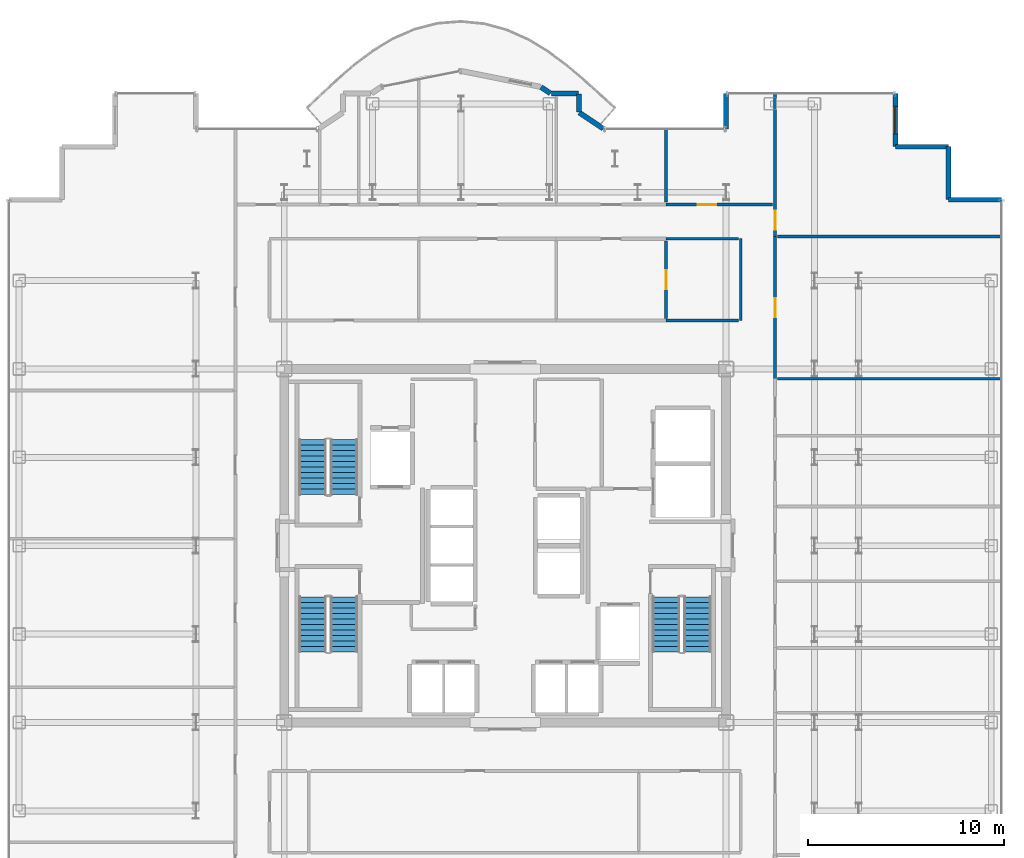
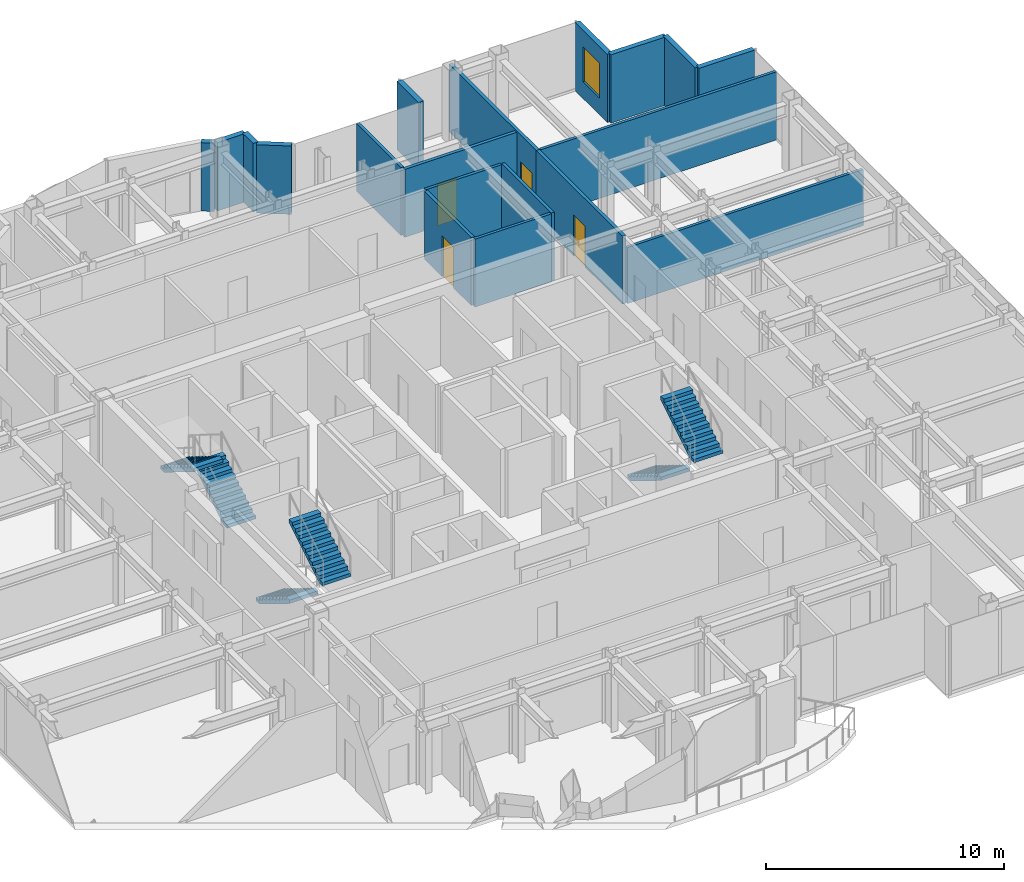
# One storey, part 19 of 21: 19 walls, 6 stair flights, 4 doors, 1 window, 5 openings, 3 elements without a shape of their own.
"""IFC4 building model written with IfcOpenShell, lengths in metres."""

from ifc_helpers import new_model, si_unit, direction, frame, frame_2d, origin, place, context, subcontext, project, spatial, polyline, rectangle, outline, extrude, source, transform, mapped, material, layer, layer_set, type_object, element, fill, aggregate, save


model = new_model("IFC4")

# Units and contexts
model_context = context("Model", 3, precision=1e-05, world=origin(), true_north=direction((0.0, 1.0)))
body_context = subcontext(model_context, "Body", "Model", "MODEL_VIEW")
ifc_project = project(units=[si_unit("LENGTHUNIT", "METRE"), si_unit("AREAUNIT", "SQUARE_METRE"), si_unit("VOLUMEUNIT", "CUBIC_METRE"), si_unit("PLANEANGLEUNIT", "RADIAN"), si_unit("MASSUNIT", "GRAM", prefix="KILO")], contexts=[model_context])

# Site, building, storey
site_placement = place(None, origin())
site = spatial("IfcSite", under=ifc_project, at=site_placement, CompositionType="ELEMENT")
building_placement = place(site_placement, origin())
building = spatial("IfcBuilding", under=site, at=building_placement, Name="Nefas-Gora Pilgrimage Tower", CompositionType="ELEMENT")
storey_placement = place(building_placement, frame((0.0, 0.0, 256.0)))
storey = spatial("IfcBuildingStorey", under=building, at=storey_placement, Name="L64", CompositionType="ELEMENT", Elevation=256.0)

# Walls
ifc_material_1 = material(Name="Precast concrete C40/50", Category="concrete")
ifc_layer_1 = layer(ifc_material_1, 0.260009765625)
ifc_layer_set_1 = layer_set([ifc_layer_1], Name="Precast concrete C40/50")
wall_type_1 = type_object("IfcWallType", Name="EW-PORTAL-260", PredefinedType="SOLIDWALL", material=ifc_layer_set_1)
shared_shape_1 = source(origin(), body_context, "Body", "SweptSolid", [
    extrude(rectangle(XDim=1.800048828125, YDim=0.260009765625, at=frame_2d((0.89990234375, 0.0))), origin(), (0.0, 0.0, 1.0), 3.5),
])
wall_1_placement = place(storey_placement, frame((11.25, 23.02001953125, 0.0), z_axis=(0.0, 0.0, 1.0), x_axis=(0.0, -1.0, 0.0)))
element("IfcWall", 1, at=wall_1_placement, inside=storey, type_object=wall_type_1, Name="L64 Lobe Shoulder Precast Spandrel Pier 10", PredefinedType="SOLIDWALL", context=body_context, shape_type="MappedRepresentation", body=[
    mapped(shared_shape_1, transform((0.0, 0.0, 0.0), x_axis=(1.0, 0.0, 0.0), y_axis=(0.0, 1.0, 0.0), z_axis=(0.0, 0.0, 1.0), scale=1.0)),
])
ifc_material_2 = material(Name="Precast concrete C45/55", Category="concrete")
ifc_layer_2 = layer(ifc_material_2, 0.239990234375)
ifc_layer_set_2 = layer_set([ifc_layer_2], Name="Precast concrete C45/55")
wall_type_2 = type_object("IfcWallType", Name="EW-SERR-240", PredefinedType="SHEAR", material=ifc_layer_set_2)
shared_shape_2 = source(origin(), body_context, "Body", "SweptSolid", [
    extrude(rectangle(XDim=2.699951171875, YDim=0.239990234375, at=frame_2d((1.35009765625, 0.0))), origin(), (0.0, 0.0, 1.0), 3.5),
])
for number, where, z_axis, x_axis, name in (
    (2, (25.27001953125, 17.6201171875, 0.0), (0.0, 0.0, 1.0), (-1.0, 0.0, 0.0), "L64 Serrated Corner Shear Pier Wall 6"),
    (3, (22.570068359375, 17.6201171875, 0.0), (0.0, 0.0, 1.0), (0.0, 1.0, 0.0), "L64 Serrated Corner Shear Pier Wall 7"),
    (4, (22.570068359375, 20.320068359375, 0.0), (0.0, 0.0, 1.0), (-1.0, 0.0, 0.0), "L64 Serrated Corner Shear Pier Wall 8"),
):
    element("IfcWall", number, at=place(storey_placement, frame(where, z_axis=z_axis, x_axis=x_axis)), inside=storey, type_object=wall_type_2, Name=name, PredefinedType="SHEAR", context=body_context, shape_type="MappedRepresentation", body=[
        mapped(shared_shape_2, transform((0.0, 0.0, 0.0), x_axis=(1.0, 0.0, 0.0), y_axis=(0.0, 1.0, 0.0), z_axis=(0.0, 0.0, 1.0), scale=1.0)),
    ])

# Wall, opening, window
wall_2_placement = place(storey_placement, frame((19.8701171875, 20.320068359375, 0.0), z_axis=(0.0, 0.0, 1.0), x_axis=(0.0, 1.0, 0.0)))
wall_2 = element("IfcWall", 5, at=wall_2_placement, inside=storey, type_object=wall_type_2, Name="L64 Serrated Corner Shear Pier Wall 9", PredefinedType="SHEAR", context=body_context, shape_type="MappedRepresentation", body=[
    mapped(shared_shape_2, transform((0.0, 0.0, 0.0), x_axis=(1.0, 0.0, 0.0), y_axis=(0.0, 1.0, 0.0), z_axis=(0.0, 0.0, 1.0), scale=1.0)),
])
opening_1_placement = place(wall_2_placement, frame((0.64990234375, 0.0, 0.85009765625)))
opening_1 = element("IfcOpeningElement", 6, at=opening_1_placement, cuts=wall_2, Name="Opening W-V2", PredefinedType="OPENING", context=body_context, shape_type="SweptSolid", body=[
    extrude(rectangle(XDim=1.39990234375, YDim=1.800048828125, at=frame_2d((0.699951171875, 0.89990234375))), frame((0.0, 0.1298828125, 0.0), z_axis=(0.0, -1.0, 0.0), x_axis=(1.0, 0.0, 0.0)), (0.0, 0.0, 1.0), 0.260009765625),
])
ifc_material_3 = material(Name="Dark ceramic-fritted operable aluminium-glass window", Category="aluminium")
window_type = type_object("IfcWindowType", Name="WIN-VENT-1400x1800", PartitioningType="SINGLE_PANEL", PredefinedType="WINDOW", material=ifc_material_3)
shared_shape_3 = source(origin(), body_context, "Body", "SweptSolid", [
    extrude(rectangle(XDim=1.39990234375, YDim=1.800048828125, at=frame_2d((0.699951171875, 0.89990234375))), frame((0.0, 0.030029296875, 0.0), z_axis=(0.0, -1.0, 0.0), x_axis=(1.0, 0.0, 0.0)), (0.0, 0.0, 1.0), 0.06005859375),
])
window_placement = place(opening_1_placement, origin())
window = element("IfcWindow", 7, at=window_placement, inside=storey, type_object=window_type, Name="L64 Operable Parallel-Outswing Window 9", OverallHeight=1.800048828125, OverallWidth=1.39990234375, PartitioningType="SINGLE_PANEL", PredefinedType="WINDOW", context=body_context, shape_type="MappedRepresentation", body=[
    mapped(shared_shape_3, transform((0.0, 0.0, 0.0), x_axis=(1.0, 0.0, 0.0), y_axis=(0.0, 1.0, 0.0), z_axis=(0.0, 0.0, 1.0), scale=1.0)),
])
fill(opening_1, window)

# Walls
shared_shape_4 = source(origin(), body_context, "Body", "SweptSolid", [
    extrude(rectangle(XDim=1.468994140625, YDim=0.260009765625, at=frame_2d((0.734375, 0.0))), origin(), (0.0, 0.0, 1.0), 3.5),
])
wall_3_placement = place(storey_placement, frame((4.99462890625, 21.235595703125, 0.0), z_axis=(0.0, 0.0, 1.0), x_axis=(-0.831461760506, 0.555581983884, 0.0)))
element("IfcWall", 8, at=wall_3_placement, inside=storey, type_object=wall_type_1, Name="L64 Lobe Shoulder Precast Spandrel Pier 11", PredefinedType="SOLIDWALL", context=body_context, shape_type="MappedRepresentation", body=[
    mapped(shared_shape_4, transform((0.0, 0.0, 0.0), x_axis=(1.0, 0.0, 0.0), y_axis=(0.0, 1.0, 0.0), z_axis=(0.0, 0.0, 1.0), scale=1.0)),
])
shared_shape_5 = source(origin(), body_context, "Body", "SweptSolid", [
    extrude(rectangle(XDim=0.896728515625, YDim=0.260009765625, at=frame_2d((0.4482421875, 0.0))), origin(), (0.0, 0.0, 1.0), 3.5),
])
wall_4_placement = place(storey_placement, frame((3.75, 22.09521484375, 0.0), z_axis=(0.0, 0.0, 1.0), x_axis=(0.0, 1.0, 0.0)))
element("IfcWall", 9, at=wall_4_placement, inside=storey, type_object=wall_type_1, Name="L64 Lobe Shoulder Precast Spandrel Pier 12", PredefinedType="SOLIDWALL", context=body_context, shape_type="MappedRepresentation", body=[
    mapped(shared_shape_5, transform((0.0, 0.0, 0.0), x_axis=(1.0, 0.0, 0.0), y_axis=(0.0, 1.0, 0.0), z_axis=(0.0, 0.0, 1.0), scale=1.0)),
])
shared_shape_6 = source(origin(), body_context, "Body", "SweptSolid", [
    extrude(rectangle(XDim=1.369873046875, YDim=0.260009765625, at=frame_2d((0.68505859375, 0.0))), origin(), (0.0, 0.0, 1.0), 3.5),
])
wall_5_placement = place(storey_placement, frame((3.721923828125, 23.02001953125, 0.0), z_axis=(0.0, 0.0, 1.0), x_axis=(-1.0, 0.0, 0.0)))
element("IfcWall", 10, at=wall_5_placement, inside=storey, type_object=wall_type_1, Name="L64 Lobe Shoulder Precast Spandrel Pier 13", PredefinedType="SOLIDWALL", context=body_context, shape_type="MappedRepresentation", body=[
    mapped(shared_shape_6, transform((0.0, 0.0, 0.0), x_axis=(1.0, 0.0, 0.0), y_axis=(0.0, 1.0, 0.0), z_axis=(0.0, 0.0, 1.0), scale=1.0)),
])
shared_shape_7 = source(origin(), body_context, "Body", "SweptSolid", [
    extrude(rectangle(XDim=0.5654296875, YDim=0.260009765625, at=frame_2d((0.28271484375, 0.0))), origin(), (0.0, 0.0, 1.0), 3.5),
])
wall_6_placement = place(storey_placement, frame((2.30078125, 23.03564453125, 0.0), z_axis=(0.0, 0.0, 1.0), x_axis=(-0.831651492666, 0.555297933317, 0.0)))
element("IfcWall", 11, at=wall_6_placement, inside=storey, type_object=wall_type_1, Name="L64 Lobe Shoulder Precast Spandrel Pier 14", PredefinedType="SOLIDWALL", context=body_context, shape_type="MappedRepresentation", body=[
    mapped(shared_shape_7, transform((0.0, 0.0, 0.0), x_axis=(1.0, 0.0, 0.0), y_axis=(0.0, 1.0, 0.0), z_axis=(0.0, 0.0, 1.0), scale=1.0)),
])

# Wall, opening, door
ifc_material_4 = material(Name="Gypsum acoustic stud partition")
ifc_layer_3 = layer(ifc_material_4, 0.159912109375)
ifc_layer_set_3 = layer_set([ifc_layer_3], Name="Gypsum acoustic stud partition")
wall_type_3 = type_object("IfcWallType", Name="IW-CORR-160", PredefinedType="PARTITIONING", material=ifc_layer_set_3)
shared_shape_8 = source(origin(), body_context, "Body", "SweptSolid", [
    extrude(rectangle(XDim=5.425048828125, YDim=0.159912109375, at=frame_2d((2.71240234375, 0.0))), origin(), (0.0, 0.0, 1.0), 3.485107421875),
])
wall_7_placement = place(storey_placement, frame((8.195068359375, 17.3701171875, 0.0), z_axis=(0.0, 0.0, 1.0), x_axis=(1.0, 0.0, 0.0)))
wall_7 = element("IfcWall", 12, at=wall_7_placement, inside=storey, type_object=wall_type_3, Name="L64 Pilgrim Contemplative Lounge Partition Wall 71", PredefinedType="PARTITIONING", context=body_context, shape_type="MappedRepresentation", body=[
    mapped(shared_shape_8, transform((0.0, 0.0, 0.0), x_axis=(1.0, 0.0, 0.0), y_axis=(0.0, 1.0, 0.0), z_axis=(0.0, 0.0, 1.0), scale=1.0)),
])
opening_2_placement = place(wall_7_placement, frame((1.611083984375, 0.0, 0.0)))
opening_2 = element("IfcOpeningElement", 13, at=opening_2_placement, cuts=wall_7, Name="Opening ID-GR1", PredefinedType="OPENING", context=body_context, shape_type="SweptSolid", body=[
    extrude(rectangle(XDim=0.949951171875, YDim=2.10009765625, at=frame_2d((0.47509765625, 1.050048828125))), frame((0.0, 0.08984375, 0.0), z_axis=(0.0, -1.0, 0.0), x_axis=(1.0, 0.0, 0.0)), (0.0, 0.0, 1.0), 0.179931640625),
])
ifc_material_5 = material(Name="Solid core oak fire-rated guest entrance door")
door_type = type_object("IfcDoorType", Name="DR-INT-GUEST-950", OperationType="NOTDEFINED", PredefinedType="DOOR", material=ifc_material_5)
shared_shape_9 = source(origin(), body_context, "Body", "SweptSolid", [
    extrude(rectangle(XDim=0.949951171875, YDim=2.10009765625, at=frame_2d((0.47509765625, 1.050048828125))), frame((0.0, 0.02490234375, 0.0), z_axis=(0.0, -1.0, 0.0), x_axis=(1.0, 0.0, 0.0)), (0.0, 0.0, 1.0), 0.050048828125),
])
door_1_placement = place(opening_2_placement, origin())
door_1 = element("IfcDoor", 14, at=door_1_placement, inside=storey, type_object=door_type, Name="L64 Pilgrim Contemplative Lounge Door 33", OperationType="SINGLE_SWING_LEFT", OverallHeight=2.10009765625, OverallWidth=0.949951171875, PredefinedType="DOOR", context=body_context, shape_type="MappedRepresentation", body=[
    mapped(shared_shape_9, transform((0.0, 0.0, 0.0), x_axis=(1.0, 0.0, 0.0), y_axis=(0.0, 1.0, 0.0), z_axis=(0.0, 0.0, 1.0), scale=1.0)),
])
fill(opening_2, door_1)

# Walls
ifc_material_6 = material(Name="Gypsum twin-stud partition")
ifc_layer_4 = layer(ifc_material_6, 0.139892578125)
ifc_layer_set_4 = layer_set([ifc_layer_4], Name="Gypsum twin-stud partition")
wall_type_4 = type_object("IfcWallType", Name="IW-UNIT-140", PredefinedType="PARTITIONING", material=ifc_layer_set_4)
shared_shape_10 = source(origin(), body_context, "Body", "SweptSolid", [
    extrude(rectangle(XDim=11.429931640625, YDim=0.139892578125, at=frame_2d((5.71484375, 0.0))), origin(), (0.0, 0.0, 1.0), 2.875),
])
wall_8_placement = place(storey_placement, frame((13.860107421875, 8.4951171875, 0.0), z_axis=(0.0, 0.0, 1.0), x_axis=(1.0, 0.0, 0.0)))
element("IfcWall", 15, at=wall_8_placement, inside=storey, type_object=wall_type_4, Name="L64 Scripture Reading Study Partition Wall 50", PredefinedType="PARTITIONING", context=body_context, shape_type="MappedRepresentation", body=[
    mapped(shared_shape_10, transform((0.0, 0.0, 0.0), x_axis=(1.0, 0.0, 0.0), y_axis=(0.0, 1.0, 0.0), z_axis=(0.0, 0.0, 1.0), scale=1.0)),
])
shared_shape_11 = source(origin(), body_context, "Body", "SweptSolid", [
    extrude(rectangle(XDim=11.429931640625, YDim=0.139892578125, at=frame_2d((5.71484375, 0.0))), origin(), (0.0, 0.0, 1.0), 3.485107421875),
])
wall_9_placement = place(storey_placement, frame((13.860107421875, 15.74755859375, 0.0), z_axis=(0.0, 0.0, 1.0), x_axis=(1.0, 0.0, 0.0)))
element("IfcWall", 16, at=wall_9_placement, inside=storey, type_object=wall_type_4, Name="L64 Pilgrim Contemplative Lounge Partition Wall 52", PredefinedType="PARTITIONING", context=body_context, shape_type="MappedRepresentation", body=[
    mapped(shared_shape_11, transform((0.0, 0.0, 0.0), x_axis=(1.0, 0.0, 0.0), y_axis=(0.0, 1.0, 0.0), z_axis=(0.0, 0.0, 1.0), scale=1.0)),
])
shared_shape_12 = source(origin(), body_context, "Body", "SweptSolid", [
    extrude(rectangle(XDim=3.75, YDim=0.139892578125, at=frame_2d((1.875, 0.0))), origin(), (0.0, 0.0, 1.0), 3.485107421875),
])
wall_10_placement = place(storey_placement, frame((8.195068359375, 17.489990234375, 0.0), z_axis=(0.0, 0.0, 1.0), x_axis=(0.0, 1.0, 0.0)))
element("IfcWall", 17, at=wall_10_placement, inside=storey, type_object=wall_type_4, Name="L64 Pilgrim Contemplative Lounge Partition Wall 67", PredefinedType="PARTITIONING", context=body_context, shape_type="MappedRepresentation", body=[
    mapped(shared_shape_12, transform((0.0, 0.0, 0.0), x_axis=(1.0, 0.0, 0.0), y_axis=(0.0, 1.0, 0.0), z_axis=(0.0, 0.0, 1.0), scale=1.0)),
])
shared_shape_13 = source(origin(), body_context, "Body", "SweptSolid", [
    extrude(rectangle(XDim=4.179931640625, YDim=0.139892578125, at=frame_2d((2.08984375, 0.0))), origin(), (0.0, 0.0, 1.0), 3.485107421875),
])
wall_11_placement = place(storey_placement, frame((12.0, 11.4599609375, 0.0), z_axis=(0.0, 0.0, 1.0), x_axis=(0.0, 1.0, 0.0)))
element("IfcWall", 18, at=wall_11_placement, inside=storey, type_object=wall_type_4, Name="L64 Pilgrim Contemplative Lounge Partition Wall 72", PredefinedType="PARTITIONING", context=body_context, shape_type="MappedRepresentation", body=[
    mapped(shared_shape_13, transform((0.0, 0.0, 0.0), x_axis=(1.0, 0.0, 0.0), y_axis=(0.0, 1.0, 0.0), z_axis=(0.0, 0.0, 1.0), scale=1.0)),
])

# Wall, opening, door
shared_shape_14 = source(origin(), body_context, "Body", "SweptSolid", [
    extrude(rectangle(XDim=7.302490234375, YDim=0.159912109375, at=frame_2d((3.6513671875, 0.0))), origin(), (0.0, 0.0, 1.0), 3.485107421875),
])
wall_12_placement = place(storey_placement, frame((13.739990234375, 15.737548828125, 0.0), z_axis=(0.0, 0.0, 1.0), x_axis=(0.0, 1.0, 0.0)))
wall_12 = element("IfcWall", 19, at=wall_12_placement, inside=storey, type_object=wall_type_3, Name="L64 Pilgrim Contemplative Lounge Partition Wall 51", PredefinedType="PARTITIONING", context=body_context, shape_type="MappedRepresentation", body=[
    mapped(shared_shape_14, transform((0.0, 0.0, 0.0), x_axis=(1.0, 0.0, 0.0), y_axis=(0.0, 1.0, 0.0), z_axis=(0.0, 0.0, 1.0), scale=1.0)),
])
opening_3_placement = place(wall_12_placement, frame((0.361328125, 0.0, 0.0)))
opening_3 = element("IfcOpeningElement", 20, at=opening_3_placement, cuts=wall_12, Name="Opening ID-GR1", PredefinedType="OPENING", context=body_context, shape_type="SweptSolid", body=[
    extrude(rectangle(XDim=0.949951171875, YDim=2.10009765625, at=frame_2d((0.47509765625, 1.050048828125))), frame((0.0, 0.08984375, 0.0), z_axis=(0.0, -1.0, 0.0), x_axis=(1.0, 0.0, 0.0)), (0.0, 0.0, 1.0), 0.179931640625),
])
door_2_placement = place(opening_3_placement, origin())
door_2 = element("IfcDoor", 21, at=door_2_placement, inside=storey, type_object=door_type, Name="L64 Pilgrim Contemplative Lounge Door 23", OperationType="SINGLE_SWING_LEFT", OverallHeight=2.10009765625, OverallWidth=0.949951171875, PredefinedType="DOOR", context=body_context, shape_type="MappedRepresentation", body=[
    mapped(shared_shape_9, transform((0.0, 0.0, 0.0), x_axis=(1.0, 0.0, 0.0), y_axis=(0.0, 1.0, 0.0), z_axis=(0.0, 0.0, 1.0), scale=1.0)),
])
fill(opening_3, door_2)

shared_shape_15 = source(origin(), body_context, "Body", "SweptSolid", [
    extrude(rectangle(XDim=7.242431640625, YDim=0.159912109375, at=frame_2d((3.62109375, 0.0))), origin(), (0.0, 0.0, 1.0), 3.485107421875),
])
wall_13_placement = place(storey_placement, frame((13.739990234375, 8.4951171875, 0.0), z_axis=(0.0, 0.0, 1.0), x_axis=(0.0, 1.0, 0.0)))
wall_13 = element("IfcWall", 22, at=wall_13_placement, inside=storey, type_object=wall_type_3, Name="L64 Pilgrim Contemplative Lounge Partition Wall 53", PredefinedType="PARTITIONING", context=body_context, shape_type="MappedRepresentation", body=[
    mapped(shared_shape_15, transform((0.0, 0.0, 0.0), x_axis=(1.0, 0.0, 0.0), y_axis=(0.0, 1.0, 0.0), z_axis=(0.0, 0.0, 1.0), scale=1.0)),
])
opening_4_placement = place(wall_13_placement, frame((3.146240234375, 0.0, 0.0)))
opening_4 = element("IfcOpeningElement", 23, at=opening_4_placement, cuts=wall_13, Name="Opening ID-GR1", PredefinedType="OPENING", context=body_context, shape_type="SweptSolid", body=[
    extrude(rectangle(XDim=0.949951171875, YDim=2.10009765625, at=frame_2d((0.47509765625, 1.050048828125))), frame((0.0, 0.08984375, 0.0), z_axis=(0.0, -1.0, 0.0), x_axis=(1.0, 0.0, 0.0)), (0.0, 0.0, 1.0), 0.179931640625),
])
door_3_placement = place(opening_4_placement, origin())
door_3 = element("IfcDoor", 24, at=door_3_placement, inside=storey, type_object=door_type, Name="L64 Pilgrim Contemplative Lounge Door 24", OperationType="SINGLE_SWING_RIGHT", OverallHeight=2.10009765625, OverallWidth=0.949951171875, PredefinedType="DOOR", context=body_context, shape_type="MappedRepresentation", body=[
    mapped(shared_shape_9, transform((0.0, 0.0, 0.0), x_axis=(1.0, 0.0, 0.0), y_axis=(0.0, 1.0, 0.0), z_axis=(0.0, 0.0, 1.0), scale=1.0)),
])
fill(opening_4, door_3)

shared_shape_16 = source(origin(), body_context, "Body", "SweptSolid", [
    extrude(rectangle(XDim=3.929931640625, YDim=0.159912109375, at=frame_2d((1.96484375, 0.0))), origin(), (0.0, 0.0, 1.0), 3.485107421875),
])
wall_14_placement = place(storey_placement, frame((8.195068359375, 11.580078125, 0.0), z_axis=(0.0, 0.0, 1.0), x_axis=(0.0, 1.0, 0.0)))
wall_14 = element("IfcWall", 25, at=wall_14_placement, inside=storey, type_object=wall_type_3, Name="L64 Pilgrim Contemplative Lounge Partition Wall 70", PredefinedType="PARTITIONING", context=body_context, shape_type="MappedRepresentation", body=[
    mapped(shared_shape_16, transform((0.0, 0.0, 0.0), x_axis=(1.0, 0.0, 0.0), y_axis=(0.0, 1.0, 0.0), z_axis=(0.0, 0.0, 1.0), scale=1.0)),
])
opening_5_placement = place(wall_14_placement, frame((1.489990234375, 0.0, 0.0)))
opening_5 = element("IfcOpeningElement", 26, at=opening_5_placement, cuts=wall_14, Name="Opening ID-GR1", PredefinedType="OPENING", context=body_context, shape_type="SweptSolid", body=[
    extrude(rectangle(XDim=0.949951171875, YDim=2.10009765625, at=frame_2d((0.47509765625, 1.050048828125))), frame((0.0, 0.08984375, 0.0), z_axis=(0.0, -1.0, 0.0), x_axis=(1.0, 0.0, 0.0)), (0.0, 0.0, 1.0), 0.179931640625),
])
door_4_placement = place(opening_5_placement, origin())
door_4 = element("IfcDoor", 27, at=door_4_placement, inside=storey, type_object=door_type, Name="L64 Pilgrim Contemplative Lounge Door 32", OperationType="SINGLE_SWING_RIGHT", OverallHeight=2.10009765625, OverallWidth=0.949951171875, PredefinedType="DOOR", context=body_context, shape_type="MappedRepresentation", body=[
    mapped(shared_shape_9, transform((0.0, 0.0, 0.0), x_axis=(1.0, 0.0, 0.0), y_axis=(0.0, 1.0, 0.0), z_axis=(0.0, 0.0, 1.0), scale=1.0)),
])
fill(opening_5, door_4)

# Walls
shared_shape_17 = source(origin(), body_context, "Body", "SweptSolid", [
    extrude(rectangle(XDim=3.69482421875, YDim=0.139892578125, at=frame_2d((1.847412109375, 0.0))), origin(), (0.0, 0.0, 1.0), 3.485107421875),
])
for number, where, z_axis, x_axis, name in (
    (28, (8.195068359375, 15.6298828125, 0.0), (0.0, 0.0, 1.0), (1.0, 0.0, 0.0), "L64 Pilgrim Contemplative Lounge Partition Wall 73"),
    (29, (8.195068359375, 11.469970703125, 0.0), (0.0, 0.0, 1.0), (1.0, 0.0, 0.0), "L64 Pilgrim Contemplative Lounge Partition Wall 74"),
):
    element("IfcWall", number, at=place(storey_placement, frame(where, z_axis=z_axis, x_axis=x_axis)), inside=storey, type_object=wall_type_4, Name=name, PredefinedType="PARTITIONING", context=body_context, shape_type="MappedRepresentation", body=[
        mapped(shared_shape_17, transform((0.0, 0.0, 0.0), x_axis=(1.0, 0.0, 0.0), y_axis=(0.0, 1.0, 0.0), z_axis=(0.0, 0.0, 1.0), scale=1.0)),
    ])

# Stair, stair flights
ifc_material_7 = material(Name="Concrete C45/55", Category="concrete")
stair_type = type_object("IfcStairType", Name="STR-1400-R1727", PredefinedType="HALF_TURN_STAIR", material=ifc_material_7)
stair_1_placement = place(storey_placement, origin())
stair_1 = element("IfcStair", 30, at=stair_1_placement, inside=storey, type_object=stair_type, Name="L64 Pressurised Tower Exit Stair ST-01", PredefinedType="HALF_TURN_STAIR")
stair_flight_type = type_object("IfcStairFlightType", Name="STF-1400-R1727", PredefinedType="STRAIGHT", material=ifc_material_7)
shared_shape_18 = source(origin(), body_context, "Body", "SweptSolid", [
    extrude(outline(polyline([(0.0, 0.0), (0.0, 0.172607421875), (0.280029296875, 0.172607421875), (0.280029296875, 0.345458984375), (0.56005859375, 0.345458984375), (0.56005859375, 0.51806640625), (0.840087890625, 0.51806640625), (0.840087890625, 0.69091796875), (1.1201171875, 0.69091796875), (1.1201171875, 0.863525390625), (1.39990234375, 0.863525390625), (1.39990234375, 1.036376953125), (1.679931640625, 1.036376953125), (1.679931640625, 1.208984375), (1.9599609375, 1.208984375), (1.9599609375, 1.3818359375), (2.239990234375, 1.3818359375), (2.239990234375, 1.554443359375), (2.52001953125, 1.554443359375), (2.52001953125, 1.727294921875), (2.800048828125, 1.727294921875), (2.800048828125, 1.89990234375), (2.800048828125, 1.551025390625), (0.285400390625, 0.0), (0.0, 0.0)])), frame((0.0, 0.699951171875, 0.0), z_axis=(0.0, -1.0, 0.0), x_axis=(1.0, 0.0, 0.0)), (0.0, 0.0, 1.0), 1.39990234375),
])
stair_flight_1_placement = place(storey_placement, frame((-8.199951171875, 2.60009765625, 0.0), z_axis=(0.0, 0.0, 1.0), x_axis=(0.0, 1.0, 0.0)))
stair_flight_1 = element("IfcStairFlight", 31, at=stair_flight_1_placement, type_object=stair_flight_type, Name="ST-01 flight 1", NumberOfRisers=11, NumberOfTreads=10, PredefinedType="STRAIGHT", RiserHeight=0.172727273, TreadLength=0.28, context=body_context, shape_type="MappedRepresentation", body=[
    mapped(shared_shape_18, transform((0.0, 0.0, 0.0), x_axis=(1.0, 0.0, 0.0), y_axis=(0.0, 1.0, 0.0), z_axis=(0.0, 0.0, 1.0), scale=1.0)),
])
stair_flight_2_placement = place(storey_placement, frame((-9.800048828125, 5.39990234375, 1.89990234375), z_axis=(0.0, 0.0, 1.0), x_axis=(0.0, -1.0, 0.0)))
stair_flight_2 = element("IfcStairFlight", 32, at=stair_flight_2_placement, type_object=stair_flight_type, Name="ST-01 flight 2", NumberOfRisers=11, NumberOfTreads=10, PredefinedType="STRAIGHT", RiserHeight=0.172727273, TreadLength=0.28, context=body_context, shape_type="MappedRepresentation", body=[
    mapped(shared_shape_18, transform((0.0, 0.0, 0.0), x_axis=(1.0, 0.0, 0.0), y_axis=(0.0, 1.0, 0.0), z_axis=(0.0, 0.0, 1.0), scale=1.0)),
])
aggregate(stair_1, [stair_flight_1, stair_flight_2])

stair_2_placement = place(storey_placement, origin())
stair_2 = element("IfcStair", 33, at=stair_2_placement, inside=storey, type_object=stair_type, Name="L64 Pressurised Tower Exit Stair ST-02", PredefinedType="HALF_TURN_STAIR")
stair_flight_3_placement = place(storey_placement, frame((8.199951171875, -2.60009765625, 0.0), z_axis=(0.0, 0.0, 1.0), x_axis=(0.0, -1.0, 0.0)))
stair_flight_3 = element("IfcStairFlight", 34, at=stair_flight_3_placement, type_object=stair_flight_type, Name="ST-02 flight 1", NumberOfRisers=11, NumberOfTreads=10, PredefinedType="STRAIGHT", RiserHeight=0.172727273, TreadLength=0.28, context=body_context, shape_type="MappedRepresentation", body=[
    mapped(shared_shape_18, transform((0.0, 0.0, 0.0), x_axis=(1.0, 0.0, 0.0), y_axis=(0.0, 1.0, 0.0), z_axis=(0.0, 0.0, 1.0), scale=1.0)),
])
stair_flight_4_placement = place(storey_placement, frame((9.800048828125, -5.39990234375, 1.89990234375), z_axis=(0.0, 0.0, 1.0), x_axis=(0.0, 1.0, 0.0)))
stair_flight_4 = element("IfcStairFlight", 35, at=stair_flight_4_placement, type_object=stair_flight_type, Name="ST-02 flight 2", NumberOfRisers=11, NumberOfTreads=10, PredefinedType="STRAIGHT", RiserHeight=0.172727273, TreadLength=0.28, context=body_context, shape_type="MappedRepresentation", body=[
    mapped(shared_shape_18, transform((0.0, 0.0, 0.0), x_axis=(1.0, 0.0, 0.0), y_axis=(0.0, 1.0, 0.0), z_axis=(0.0, 0.0, 1.0), scale=1.0)),
])
aggregate(stair_2, [stair_flight_3, stair_flight_4])

stair_3_placement = place(storey_placement, origin())
stair_3 = element("IfcStair", 36, at=stair_3_placement, inside=storey, type_object=stair_type, Name="L64 Pressurised Tower Exit Stair ST-03", PredefinedType="HALF_TURN_STAIR")
stair_flight_5_placement = place(storey_placement, frame((-9.800048828125, -2.60009765625, 0.0), z_axis=(0.0, 0.0, 1.0), x_axis=(0.0, -1.0, 0.0)))
stair_flight_5 = element("IfcStairFlight", 37, at=stair_flight_5_placement, type_object=stair_flight_type, Name="ST-03 flight 1", NumberOfRisers=11, NumberOfTreads=10, PredefinedType="STRAIGHT", RiserHeight=0.172727273, TreadLength=0.28, context=body_context, shape_type="MappedRepresentation", body=[
    mapped(shared_shape_18, transform((0.0, 0.0, 0.0), x_axis=(1.0, 0.0, 0.0), y_axis=(0.0, 1.0, 0.0), z_axis=(0.0, 0.0, 1.0), scale=1.0)),
])
stair_flight_6_placement = place(storey_placement, frame((-8.199951171875, -5.39990234375, 1.89990234375), z_axis=(0.0, 0.0, 1.0), x_axis=(0.0, 1.0, 0.0)))
stair_flight_6 = element("IfcStairFlight", 38, at=stair_flight_6_placement, type_object=stair_flight_type, Name="ST-03 flight 2", NumberOfRisers=11, NumberOfTreads=10, PredefinedType="STRAIGHT", RiserHeight=0.172727273, TreadLength=0.28, context=body_context, shape_type="MappedRepresentation", body=[
    mapped(shared_shape_18, transform((0.0, 0.0, 0.0), x_axis=(1.0, 0.0, 0.0), y_axis=(0.0, 1.0, 0.0), z_axis=(0.0, 0.0, 1.0), scale=1.0)),
])
aggregate(stair_3, [stair_flight_5, stair_flight_6])

save(model, "model.ifc")
